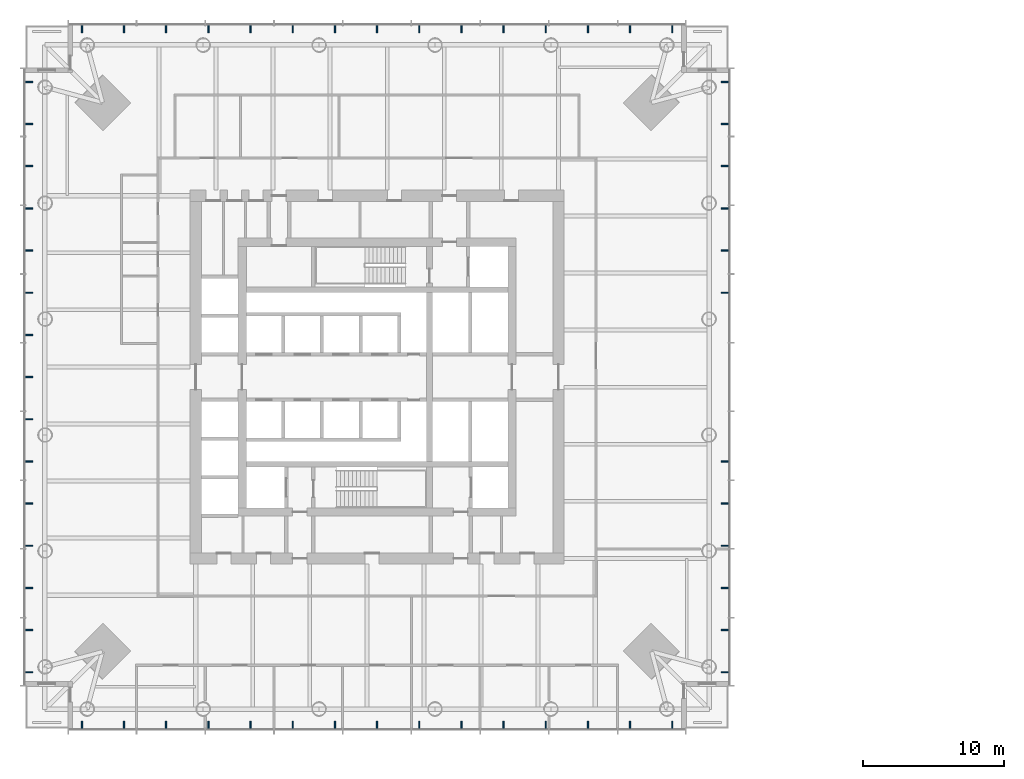
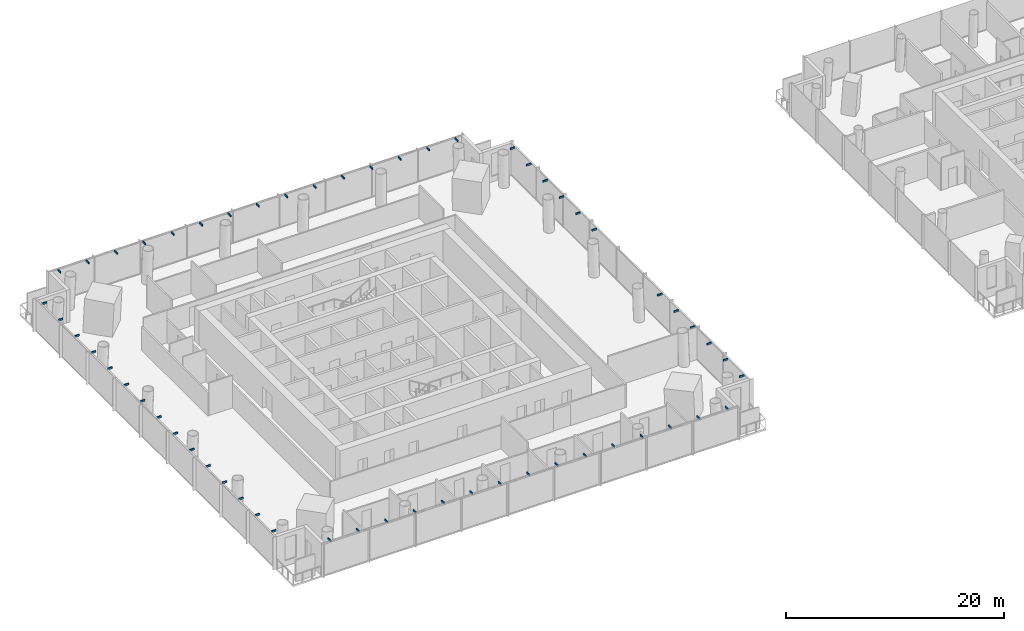
# One storey, part 19 of 21: 57 discrete accessories.
"""IFC4 building model written with IfcOpenShell, lengths in metres."""

from ifc_helpers import new_model, si_unit, direction, frame, origin, origin_2d, place, context, subcontext, project, spatial, rectangle, extrude, material, type_object, element, save


model = new_model("IFC4")

# Units and contexts
model_context = context("Model", 3, precision=1e-05, world=origin(), true_north=direction((0.0, 1.0)))
body_context = subcontext(model_context, "Body", "Model", "MODEL_VIEW")
ifc_project = project(units=[si_unit("LENGTHUNIT", "METRE"), si_unit("AREAUNIT", "SQUARE_METRE"), si_unit("VOLUMEUNIT", "CUBIC_METRE"), si_unit("PLANEANGLEUNIT", "RADIAN"), si_unit("MASSUNIT", "GRAM", prefix="KILO")], contexts=[model_context])

# Site, building, storey
site_placement = place(None, origin())
site = spatial("IfcSite", under=ifc_project, at=site_placement, CompositionType="ELEMENT")
building_placement = place(site_placement, origin())
building = spatial("IfcBuilding", under=site, at=building_placement, Name="Ostroluk Exchange", CompositionType="ELEMENT")
storey_placement = place(building_placement, frame((0.0, 0.0, 32.39990234375)))
storey = spatial("IfcBuildingStorey", under=building, at=storey_placement, Name="L07", CompositionType="ELEMENT", Elevation=32.39990234375)

# Discrete accessories
ifc_material = material(Name="Steel S355", Category="steel")
discrete_accessory_type = type_object("IfcDiscreteAccessoryType", Name="Maintenance roof bracket", PredefinedType="BRACKET", material=ifc_material)
for number, where, z_axis, x_axis, name in (
    (1, (24.0, 21.25, 3.4501953125), (0.0, 0.0, 1.0), (1.0, 0.0, 0.0), "Maintenance roof bracket L08 south 1"),
    (2, (27.0, 21.25, 3.4501953125), (0.0, 0.0, 1.0), (1.0, 0.0, 0.0), "Maintenance roof bracket L08 south 2"),
    (3, (30.0, 21.25, 3.4501953125), (0.0, 0.0, 1.0), (1.0, 0.0, 0.0), "Maintenance roof bracket L08 south 3"),
    (4, (33.0, 21.25, 3.4501953125), (0.0, 0.0, 1.0), (1.0, 0.0, 0.0), "Maintenance roof bracket L08 south 4"),
    (5, (36.0, 21.25, 3.4501953125), (0.0, 0.0, 1.0), (1.0, 0.0, 0.0), "Maintenance roof bracket L08 south 5"),
    (6, (39.0, 21.25, 3.4501953125), (0.0, 0.0, 1.0), (1.0, 0.0, 0.0), "Maintenance roof bracket L08 south 6"),
    (7, (42.0, 21.25, 3.4501953125), (0.0, 0.0, 1.0), (1.0, 0.0, 0.0), "Maintenance roof bracket L08 south 7"),
    (8, (45.0, 21.25, 3.4501953125), (0.0, 0.0, 1.0), (1.0, 0.0, 0.0), "Maintenance roof bracket L08 south 8"),
    (9, (48.0, 21.25, 3.4501953125), (0.0, 0.0, 1.0), (1.0, 0.0, 0.0), "Maintenance roof bracket L08 south 9"),
    (10, (51.0, 21.25, 3.4501953125), (0.0, 0.0, 1.0), (1.0, 0.0, 0.0), "Maintenance roof bracket L08 south 10"),
    (11, (54.0, 21.25, 3.4501953125), (0.0, 0.0, 1.0), (1.0, 0.0, 0.0), "Maintenance roof bracket L08 south 11"),
    (12, (57.0, 21.25, 3.4501953125), (0.0, 0.0, 1.0), (1.0, 0.0, 0.0), "Maintenance roof bracket L08 south 12"),
    (13, (60.0, 21.25, 3.4501953125), (0.0, 0.0, 1.0), (1.0, 0.0, 0.0), "Maintenance roof bracket L08 south 13"),
    (14, (63.0, 21.25, 3.4501953125), (0.0, 0.0, 1.0), (1.0, 0.0, 0.0), "Maintenance roof bracket L08 south 14"),
    (15, (66.0, 21.25, 3.4501953125), (0.0, 0.0, 1.0), (1.0, 0.0, 0.0), "Maintenance roof bracket L08 south 15"),
):
    element("IfcDiscreteAccessory", number, at=place(storey_placement, frame(where, z_axis=z_axis, x_axis=x_axis)), inside=storey, type_object=discrete_accessory_type, Name=name, PredefinedType="BRACKET", context=body_context, shape_type="SweptSolid", body=[
        extrude(rectangle(XDim=0.10009765625, YDim=0.5, at=origin_2d()), origin(), (0.0, 0.0, 1.0), 0.199951171875),
    ])
for number, where, z_axis, x_axis, name in (
    (16, (69.75, 25.0, 3.4501953125), (0.0, 0.0, 1.0), (1.0, 0.0, 0.0), "Maintenance roof bracket L08 east 1"),
    (17, (69.75, 28.0, 3.4501953125), (0.0, 0.0, 1.0), (1.0, 0.0, 0.0), "Maintenance roof bracket L08 east 2"),
    (18, (69.75, 31.0, 3.4501953125), (0.0, 0.0, 1.0), (1.0, 0.0, 0.0), "Maintenance roof bracket L08 east 3"),
    (19, (69.75, 34.0, 3.4501953125), (0.0, 0.0, 1.0), (1.0, 0.0, 0.0), "Maintenance roof bracket L08 east 4"),
    (20, (69.75, 37.0, 3.4501953125), (0.0, 0.0, 1.0), (1.0, 0.0, 0.0), "Maintenance roof bracket L08 east 5"),
    (21, (69.75, 40.0, 3.4501953125), (0.0, 0.0, 1.0), (1.0, 0.0, 0.0), "Maintenance roof bracket L08 east 6"),
    (22, (69.75, 52.0, 3.4501953125), (0.0, 0.0, 1.0), (1.0, 0.0, 0.0), "Maintenance roof bracket L08 east 10"),
    (23, (69.75, 55.0, 3.4501953125), (0.0, 0.0, 1.0), (1.0, 0.0, 0.0), "Maintenance roof bracket L08 east 11"),
    (24, (69.75, 58.0, 3.4501953125), (0.0, 0.0, 1.0), (1.0, 0.0, 0.0), "Maintenance roof bracket L08 east 12"),
    (25, (69.75, 61.0, 3.4501953125), (0.0, 0.0, 1.0), (1.0, 0.0, 0.0), "Maintenance roof bracket L08 east 13"),
    (26, (69.75, 64.0, 3.4501953125), (0.0, 0.0, 1.0), (1.0, 0.0, 0.0), "Maintenance roof bracket L08 east 14"),
    (27, (69.75, 67.0, 3.4501953125), (0.0, 0.0, 1.0), (1.0, 0.0, 0.0), "Maintenance roof bracket L08 east 15"),
):
    element("IfcDiscreteAccessory", number, at=place(storey_placement, frame(where, z_axis=z_axis, x_axis=x_axis)), inside=storey, type_object=discrete_accessory_type, Name=name, PredefinedType="BRACKET", context=body_context, shape_type="SweptSolid", body=[
        extrude(rectangle(XDim=0.5, YDim=0.10009765625, at=origin_2d()), origin(), (0.0, 0.0, 1.0), 0.199951171875),
    ])
for number, where, z_axis, x_axis, name in (
    (28, (24.0, 70.75, 3.4501953125), (0.0, 0.0, 1.0), (1.0, 0.0, 0.0), "Maintenance roof bracket L08 north 1"),
    (29, (27.0, 70.75, 3.4501953125), (0.0, 0.0, 1.0), (1.0, 0.0, 0.0), "Maintenance roof bracket L08 north 2"),
    (30, (30.0, 70.75, 3.4501953125), (0.0, 0.0, 1.0), (1.0, 0.0, 0.0), "Maintenance roof bracket L08 north 3"),
    (31, (33.0, 70.75, 3.4501953125), (0.0, 0.0, 1.0), (1.0, 0.0, 0.0), "Maintenance roof bracket L08 north 4"),
    (32, (36.0, 70.75, 3.4501953125), (0.0, 0.0, 1.0), (1.0, 0.0, 0.0), "Maintenance roof bracket L08 north 5"),
    (33, (39.0, 70.75, 3.4501953125), (0.0, 0.0, 1.0), (1.0, 0.0, 0.0), "Maintenance roof bracket L08 north 6"),
    (34, (42.0, 70.75, 3.4501953125), (0.0, 0.0, 1.0), (1.0, 0.0, 0.0), "Maintenance roof bracket L08 north 7"),
    (35, (45.0, 70.75, 3.4501953125), (0.0, 0.0, 1.0), (1.0, 0.0, 0.0), "Maintenance roof bracket L08 north 8"),
    (36, (48.0, 70.75, 3.4501953125), (0.0, 0.0, 1.0), (1.0, 0.0, 0.0), "Maintenance roof bracket L08 north 9"),
    (37, (51.0, 70.75, 3.4501953125), (0.0, 0.0, 1.0), (1.0, 0.0, 0.0), "Maintenance roof bracket L08 north 10"),
    (38, (54.0, 70.75, 3.4501953125), (0.0, 0.0, 1.0), (1.0, 0.0, 0.0), "Maintenance roof bracket L08 north 11"),
    (39, (57.0, 70.75, 3.4501953125), (0.0, 0.0, 1.0), (1.0, 0.0, 0.0), "Maintenance roof bracket L08 north 12"),
    (40, (60.0, 70.75, 3.4501953125), (0.0, 0.0, 1.0), (1.0, 0.0, 0.0), "Maintenance roof bracket L08 north 13"),
    (41, (63.0, 70.75, 3.4501953125), (0.0, 0.0, 1.0), (1.0, 0.0, 0.0), "Maintenance roof bracket L08 north 14"),
    (42, (66.0, 70.75, 3.4501953125), (0.0, 0.0, 1.0), (1.0, 0.0, 0.0), "Maintenance roof bracket L08 north 15"),
):
    element("IfcDiscreteAccessory", number, at=place(storey_placement, frame(where, z_axis=z_axis, x_axis=x_axis)), inside=storey, type_object=discrete_accessory_type, Name=name, PredefinedType="BRACKET", context=body_context, shape_type="SweptSolid", body=[
        extrude(rectangle(XDim=0.10009765625, YDim=0.5, at=origin_2d()), origin(), (0.0, 0.0, 1.0), 0.199951171875),
    ])
for number, where, z_axis, x_axis, name in (
    (43, (20.25, 25.0, 3.4501953125), (0.0, 0.0, 1.0), (1.0, 0.0, 0.0), "Maintenance roof bracket L08 west 1"),
    (44, (20.25, 28.0, 3.4501953125), (0.0, 0.0, 1.0), (1.0, 0.0, 0.0), "Maintenance roof bracket L08 west 2"),
    (45, (20.25, 31.0, 3.4501953125), (0.0, 0.0, 1.0), (1.0, 0.0, 0.0), "Maintenance roof bracket L08 west 3"),
    (46, (20.25, 34.0, 3.4501953125), (0.0, 0.0, 1.0), (1.0, 0.0, 0.0), "Maintenance roof bracket L08 west 4"),
    (47, (20.25, 37.0, 3.4501953125), (0.0, 0.0, 1.0), (1.0, 0.0, 0.0), "Maintenance roof bracket L08 west 5"),
    (48, (20.25, 40.0, 3.4501953125), (0.0, 0.0, 1.0), (1.0, 0.0, 0.0), "Maintenance roof bracket L08 west 6"),
    (49, (20.25, 43.0, 3.4501953125), (0.0, 0.0, 1.0), (1.0, 0.0, 0.0), "Maintenance roof bracket L08 west 7"),
    (50, (20.25, 46.0, 3.4501953125), (0.0, 0.0, 1.0), (1.0, 0.0, 0.0), "Maintenance roof bracket L08 west 8"),
    (51, (20.25, 49.0, 3.4501953125), (0.0, 0.0, 1.0), (1.0, 0.0, 0.0), "Maintenance roof bracket L08 west 9"),
    (52, (20.25, 52.0, 3.4501953125), (0.0, 0.0, 1.0), (1.0, 0.0, 0.0), "Maintenance roof bracket L08 west 10"),
    (53, (20.25, 55.0, 3.4501953125), (0.0, 0.0, 1.0), (1.0, 0.0, 0.0), "Maintenance roof bracket L08 west 11"),
    (54, (20.25, 58.0, 3.4501953125), (0.0, 0.0, 1.0), (1.0, 0.0, 0.0), "Maintenance roof bracket L08 west 12"),
    (55, (20.25, 61.0, 3.4501953125), (0.0, 0.0, 1.0), (1.0, 0.0, 0.0), "Maintenance roof bracket L08 west 13"),
    (56, (20.25, 64.0, 3.4501953125), (0.0, 0.0, 1.0), (1.0, 0.0, 0.0), "Maintenance roof bracket L08 west 14"),
    (57, (20.25, 67.0, 3.4501953125), (0.0, 0.0, 1.0), (1.0, 0.0, 0.0), "Maintenance roof bracket L08 west 15"),
):
    element("IfcDiscreteAccessory", number, at=place(storey_placement, frame(where, z_axis=z_axis, x_axis=x_axis)), inside=storey, type_object=discrete_accessory_type, Name=name, PredefinedType="BRACKET", context=body_context, shape_type="SweptSolid", body=[
        extrude(rectangle(XDim=0.5, YDim=0.10009765625, at=origin_2d()), origin(), (0.0, 0.0, 1.0), 0.199951171875),
    ])

save(model, "model.ifc")
